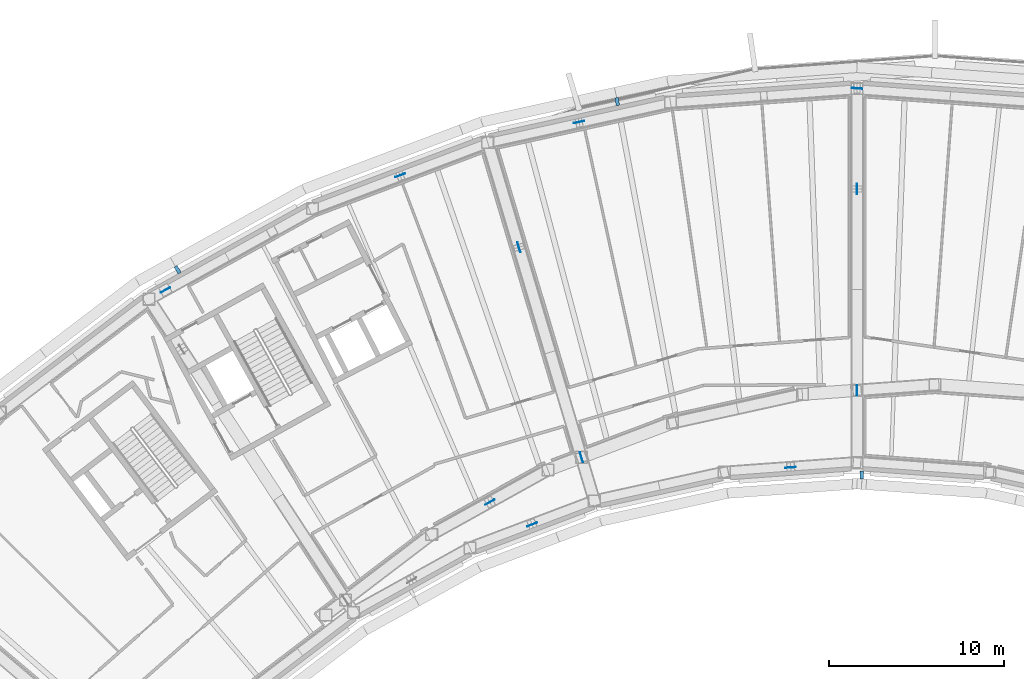
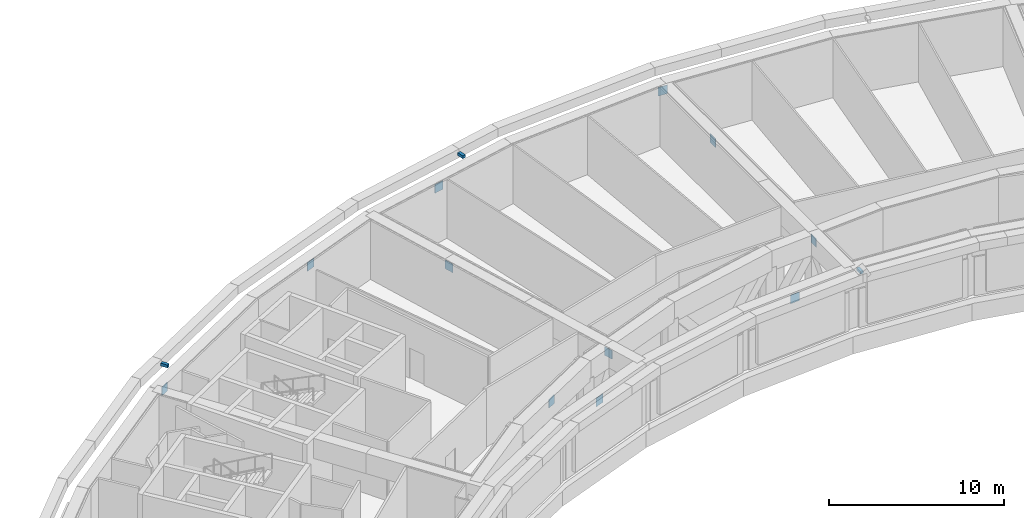
# One storey, part 17 of 25: 14 discrete accessories.
"""IFC4 building model written with IfcOpenShell, lengths in metres."""

from ifc_helpers import new_model, si_unit, direction, frame, origin, origin_2d, place, context, subcontext, project, spatial, rectangle, extrude, material, type_object, element, save


model = new_model("IFC4")

# Units and contexts
model_context = context("Model", 3, precision=1e-05, world=origin(), true_north=direction((0.0, 1.0)))
body_context = subcontext(model_context, "Body", "Model", "MODEL_VIEW")
ifc_project = project(units=[si_unit("LENGTHUNIT", "METRE"), si_unit("AREAUNIT", "SQUARE_METRE"), si_unit("VOLUMEUNIT", "CUBIC_METRE"), si_unit("PLANEANGLEUNIT", "RADIAN"), si_unit("MASSUNIT", "GRAM", prefix="KILO")], contexts=[model_context])

# Site, building, storey
site_placement = place(None, origin())
site = spatial("IfcSite", under=ifc_project, at=site_placement, CompositionType="ELEMENT")
building_placement = place(site_placement, origin())
building = spatial("IfcBuilding", under=site, at=building_placement, Name="Tuul Gate Civic Tower", CompositionType="ELEMENT")
storey_placement = place(building_placement, frame((0.0, 0.0, 133.699951171875)))
storey = spatial("IfcBuildingStorey", under=building, at=storey_placement, Name="Plant and refuge floor 4", CompositionType="ELEMENT", Elevation=133.699951171875)

# Discrete accessories
ifc_material_1 = material(Name="Steel S355", Category="steel")
discrete_accessory_type_1 = type_object("IfcDiscreteAccessoryType", Name="Gusset plate", PredefinedType="BRACKET", material=ifc_material_1)
for number, where, z_axis, x_axis, name in (
    (1, (5.373779296875, -7.9921875, 3.103515625), (0.0, 0.0, 1.0), (0.0, 1.0, 0.0), "Gusset plate"),
    (2, (-10.3525390625, -11.8173828125, 3.103759765625), (0.0, 0.0, 1.0), (-0.285212112775, 0.958464423297, 0.0), "Gusset plate"),
    (3, (-13.919677734375, 0.169189453125, 3.10302734375), (0.0, 0.0, 1.0), (-0.285212112775, 0.958464423297, 0.0), "Gusset plate"),
    (4, (5.3740234375, 3.49072265625, 3.10302734375), (0.0, 0.0, 1.0), (0.0, 1.0, 0.0), "Gusset plate"),
    (5, (-10.489013671875, 7.31103515625, 3.103271484375), (0.0, 0.0, 1.0), (0.976568946286, 0.215204770275, 0.0), "Gusset plate"),
    (6, (-20.696533203125, 4.2734375, 3.103271484375), (0.0, 0.0, 1.0), (0.935344056956, 0.35373930389, 0.0), "Gusset plate"),
    (7, (5.3740234375, 9.232177734375, 3.103271484375), (0.0, 0.0, 1.0), (0.997382544793, -0.072305320295, 0.0), "Gusset plate"),
    (8, (-34.09521484375, -2.27392578125, 3.104248046875), (0.0, 0.0, 1.0), (-0.874625054769, -0.484799972741, 0.0), "Gusset plate"),
    (9, (-15.577880859375, -14.37744140625, 3.103759765625), (0.0, 0.0, 1.0), (-0.874598044765, -0.484848698146, 0.0), "Gusset plate"),
    (10, (1.587890625, -12.3984375, 3.103759765625), (0.0, 0.0, 1.0), (-0.997381904937, -0.07231414595, 0.0), "Gusset plate"),
    (11, (-13.16259765625, -15.6494140625, 3.103759765625), (0.0, 0.0, 1.0), (-0.935367540469, -0.353677203444, 0.0), "Gusset plate"),
):
    element("IfcDiscreteAccessory", number, at=place(storey_placement, frame(where, z_axis=z_axis, x_axis=x_axis)), inside=storey, type_object=discrete_accessory_type_1, Name=name, PredefinedType="BRACKET", context=body_context, shape_type="SweptSolid", body=[
        extrude(rectangle(XDim=0.60009765625, YDim=0.030029296875, at=origin_2d()), origin(), (0.0, 0.0, 1.0), 0.60009765625),
    ])
ifc_material_2 = material(Name="Stainless steel", Category="steel")
discrete_accessory_type_2 = type_object("IfcDiscreteAccessoryType", Name="Screen bracket", PredefinedType="BRACKET", material=ifc_material_2)
discrete_accessory_1_placement = place(storey_placement, frame((-8.30810546875, 8.4833984375, 4.05029296875), z_axis=(0.0, 0.0, 1.0), x_axis=(-0.183858710322, 0.98295268179, 0.0)))
element("IfcDiscreteAccessory", 12, at=discrete_accessory_1_placement, inside=storey, type_object=discrete_accessory_type_2, Name="Screen bracket 10", PredefinedType="BRACKET", context=body_context, shape_type="SweptSolid", body=[
    extrude(rectangle(XDim=0.4501953125, YDim=0.199951171875, at=origin_2d()), origin(), (0.0, 0.0, 1.0), 0.199951171875),
])
discrete_accessory_2_placement = place(storey_placement, frame((-33.392578125, -1.1123046875, 4.05029296875), z_axis=(0.0, 0.0, 1.0), x_axis=(-0.520745925274, 0.853711708547, 0.0)))
element("IfcDiscreteAccessory", 13, at=discrete_accessory_2_placement, inside=storey, type_object=discrete_accessory_type_2, Name="Screen bracket 13", PredefinedType="BRACKET", context=body_context, shape_type="SweptSolid", body=[
    extrude(rectangle(XDim=0.450439453125, YDim=0.199951171875, at=origin_2d()), origin(), (0.0, 0.0, 1.0), 0.199951171875),
])
discrete_accessory_3_placement = place(storey_placement, frame((5.638916015625, -12.81982421875, 4.05029296875), z_axis=(0.0, 0.0, 1.0), x_axis=(-0.0051085565, -0.99998695124, 0.0)))
element("IfcDiscreteAccessory", 14, at=discrete_accessory_3_placement, inside=storey, type_object=discrete_accessory_type_2, Name="Screen bracket 25", PredefinedType="BRACKET", context=body_context, shape_type="SweptSolid", body=[
    extrude(rectangle(XDim=0.450927734375, YDim=0.199951171875, at=origin_2d()), origin(), (0.0, 0.0, 1.0), 0.199951171875),
])

save(model, "model.ifc")
